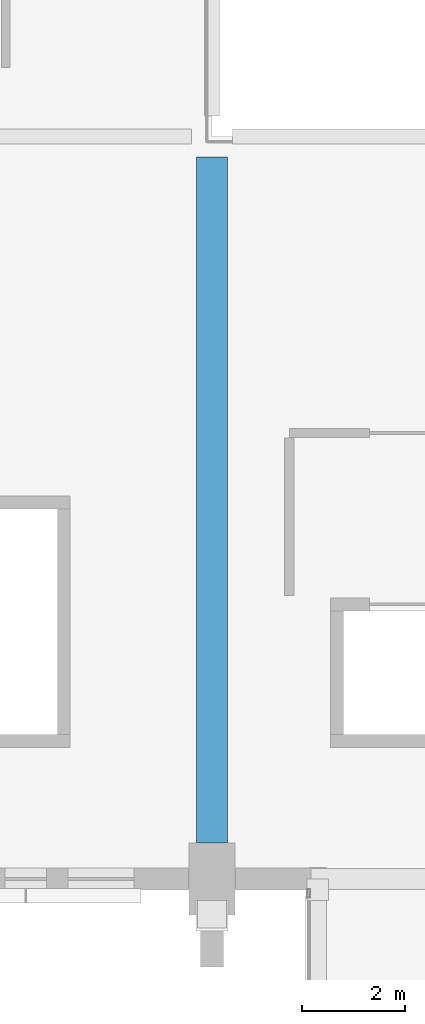
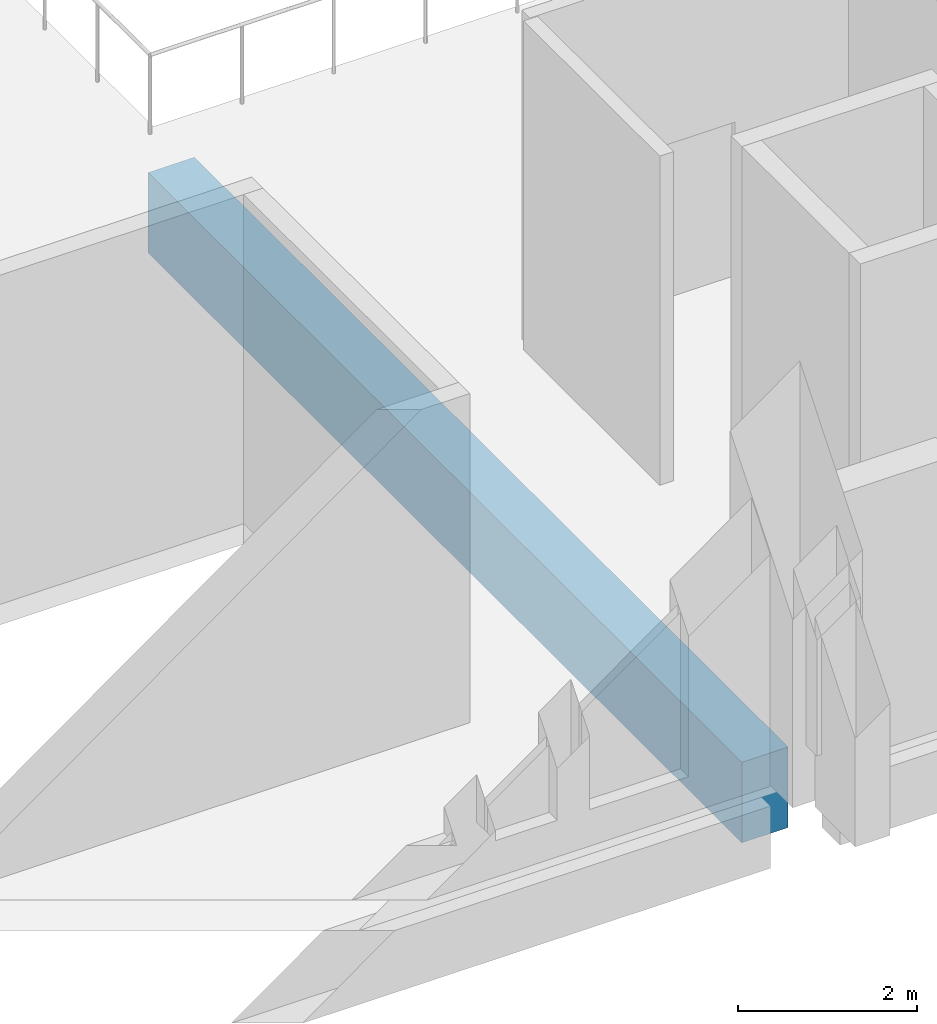
# One storey, part 32 of 220: 1 beam.
"""IFC4 building model written with IfcOpenShell, lengths in metres."""

from ifc_helpers import new_model, si_unit, direction, frame, origin, origin_2d, place, context, subcontext, project, spatial, rectangle, extrude, material, material_profile, profile_set, type_object, element, save


model = new_model("IFC4")

# Units and contexts
model_context = context("Model", 3, precision=1e-05, world=origin(), true_north=direction((0.0, 1.0)))
body_context = subcontext(model_context, "Body", "Model", "MODEL_VIEW")
ifc_project = project(units=[si_unit("LENGTHUNIT", "METRE"), si_unit("AREAUNIT", "SQUARE_METRE"), si_unit("VOLUMEUNIT", "CUBIC_METRE"), si_unit("PLANEANGLEUNIT", "RADIAN"), si_unit("MASSUNIT", "GRAM", prefix="KILO")], contexts=[model_context])

# Site, building, storey
site_placement = place(None, origin())
site = spatial("IfcSite", under=ifc_project, at=site_placement, CompositionType="ELEMENT")
building_placement = place(site_placement, origin())
building = spatial("IfcBuilding", under=site, at=building_placement, Name="Cendralis Lancet Convention Centre", CompositionType="ELEMENT")
storey_placement = place(building_placement, frame((0.0, 0.0, 5.39990234375)))
storey = spatial("IfcBuildingStorey", under=building, at=storey_placement, Name="L01", CompositionType="ELEMENT", Elevation=5.39990234375)

# Beam
ifc_material = material(Name="Concrete G40 (C40/50)", Category="concrete")
ifc_material_profile = material_profile(ifc_material, rectangle(XDim=0.60009765625, YDim=1.10009765625, at=origin_2d()), Name="RCB 600x1100")
ifc_profile_set = profile_set([ifc_material_profile], Name="Concrete G40 (C40/50)")
beam_type = type_object("IfcBeamType", Name="STR-BM-BG02", PredefinedType="BEAM", material=ifc_profile_set)
beam_placement = place(storey_placement, frame((14.39990234375, 51.10009765625, -0.829833984375), z_axis=(0.0, 1.0, 0.0), x_axis=(-1.0, 0.0, 0.0)))
element("IfcBeam", 1, at=beam_placement, inside=storey, type_object=beam_type, Name="L01 Beam BG02 #1215", PredefinedType="BEAM", context=body_context, shape_type="SweptSolid", body=[
    extrude(rectangle(XDim=0.60009765625, YDim=1.10009765625, at=origin_2d()), origin(), (0.0, 0.0, 1.0), 13.2998046875),
])

save(model, "model.ifc")
